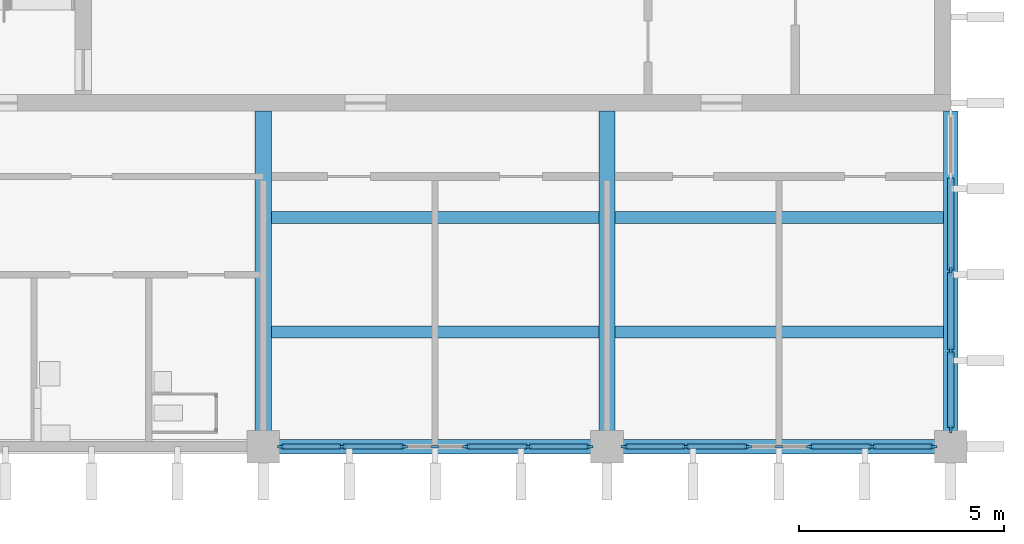
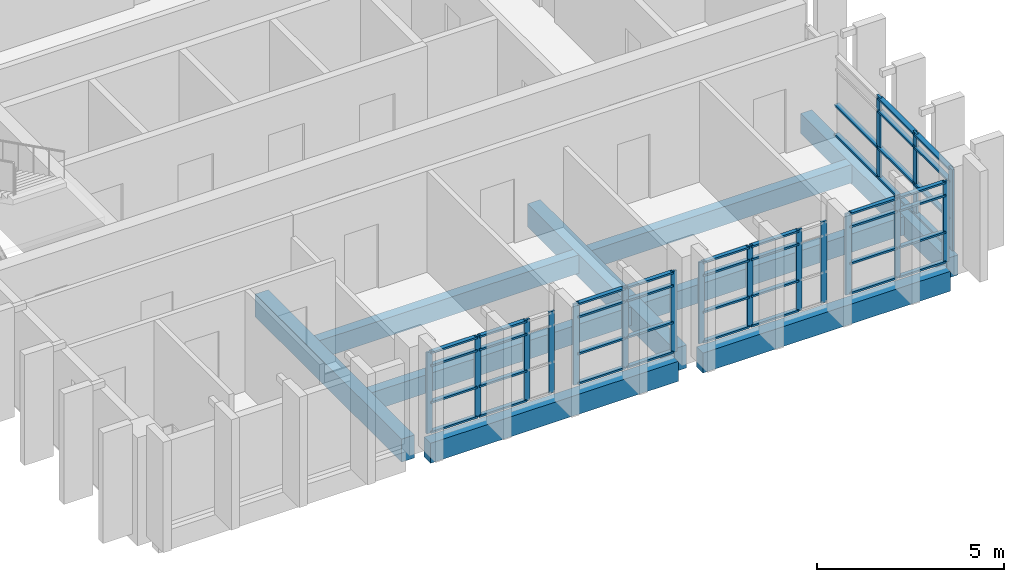
# One storey, part 2 of 11: 59 members, 9 beams, 3 elements without a shape of their own.
"""IFC4 building model written with IfcOpenShell, lengths in metres."""

from ifc_helpers import new_model, si_unit, direction, frame, origin, origin_2d, place, context, subcontext, project, spatial, rectangle, extrude, material, layer, layer_set, material_profile, profile_set, type_object, element, aggregate, save


model = new_model("IFC4")

# Units and contexts
model_context = context("Model", 3, precision=1e-05, world=origin(), true_north=direction((0.0, 1.0)))
body_context = subcontext(model_context, "Body", "Model", "MODEL_VIEW")
ifc_project = project(units=[si_unit("LENGTHUNIT", "METRE"), si_unit("AREAUNIT", "SQUARE_METRE"), si_unit("VOLUMEUNIT", "CUBIC_METRE"), si_unit("PLANEANGLEUNIT", "RADIAN"), si_unit("MASSUNIT", "GRAM", prefix="KILO")], contexts=[model_context])

# Site, building, storey
site_placement = place(None, origin())
site = spatial("IfcSite", under=ifc_project, at=site_placement, CompositionType="ELEMENT")
building_placement = place(site_placement, origin())
building = spatial("IfcBuilding", under=site, at=building_placement, Name="Rulbaag Community and Learning Centre", CompositionType="ELEMENT")
storey_placement = place(building_placement, frame((0.0, 0.0, 46.800048828125)))
storey = spatial("IfcBuildingStorey", under=building, at=storey_placement, Name="L12", CompositionType="ELEMENT", Elevation=46.800048828125)

# Beams
ifc_material_1 = material(Name="Concrete M40", Category="concrete")
ifc_material_profile_1 = material_profile(ifc_material_1, rectangle(XDim=0.35009765625, YDim=0.64990234375, at=origin_2d()), Name="RB350x650")
ifc_profile_set_1 = profile_set([ifc_material_profile_1], Name="Concrete M40")
beam_type_1 = type_object("IfcBeamType", Name="B14 Tower edge beam, upper zone 350x650 Concrete M40", PredefinedType="BEAM", material=ifc_profile_set_1)
beam_1_placement = place(storey_placement, frame((151.580078125, 84.0, -0.550048828125), z_axis=(1.0, 0.0, 0.0), x_axis=(0.0, 1.0, 0.0)))
element("IfcBeam", 1, at=beam_1_placement, inside=storey, type_object=beam_type_1, Name="BM-L12-19K-20K", PredefinedType="BEAM", context=body_context, shape_type="SweptSolid", body=[
    extrude(rectangle(XDim=0.35009765625, YDim=0.64990234375, at=origin_2d()), origin(), (0.0, 0.0, 1.0), 7.639892578125),
])
beam_2_placement = place(storey_placement, frame((159.97998046875, 84.0, -0.550048828125), z_axis=(1.0, 0.0, 0.0), x_axis=(0.0, 1.0, 0.0)))
element("IfcBeam", 2, at=beam_2_placement, inside=storey, type_object=beam_type_1, Name="BM-L12-20K-21K", PredefinedType="BEAM", context=body_context, shape_type="SweptSolid", body=[
    extrude(rectangle(XDim=0.35009765625, YDim=0.64990234375, at=origin_2d()), origin(), (0.0, 0.0, 1.0), 7.64013671875),
])
beam_3_placement = place(storey_placement, frame((168.0, 84.3798828125, -0.550048828125), z_axis=(0.0, 1.0, 0.0), x_axis=(-1.0, 0.0, 0.0)))
element("IfcBeam", 3, at=beam_3_placement, inside=storey, type_object=beam_type_1, Name="BM-L12-21K-21L", PredefinedType="BEAM", context=body_context, shape_type="SweptSolid", body=[
    extrude(rectangle(XDim=0.35009765625, YDim=0.64990234375, at=origin_2d()), origin(), (0.0, 0.0, 1.0), 7.820068359375),
])
ifc_material_profile_2 = material_profile(ifc_material_1, rectangle(XDim=0.39990234375, YDim=0.75, at=origin_2d()), Name="RB400x750")
ifc_profile_set_2 = profile_set([ifc_material_profile_2], Name="Concrete M40")
beam_type_2 = type_object("IfcBeamType", Name="B15 Tower frame beam, middle zone 400x750 Concrete M40", PredefinedType="BEAM", material=ifc_profile_set_2)
for number, where, z_axis, x_axis, name in (
    (4, (151.199951171875, 84.3798828125, -0.60009765625), (0.0, 1.0, 0.0), (-1.0, 0.0, 0.0), "BM-L12-19K-19L"),
    (5, (159.60009765625, 84.3798828125, -0.60009765625), (0.0, 1.0, 0.0), (-1.0, 0.0, 0.0), "BM-L12-20K-20L"),
):
    element("IfcBeam", number, at=place(storey_placement, frame(where, z_axis=z_axis, x_axis=x_axis)), inside=storey, type_object=beam_type_2, Name=name, PredefinedType="BEAM", context=body_context, shape_type="SweptSolid", body=[
        extrude(rectangle(XDim=0.39990234375, YDim=0.75, at=origin_2d()), origin(), (0.0, 0.0, 1.0), 7.820068359375),
    ])
ifc_material_profile_3 = material_profile(ifc_material_1, rectangle(XDim=0.300048828125, YDim=0.60009765625, at=origin_2d()), Name="RB300x600")
ifc_profile_set_3 = profile_set([ifc_material_profile_3], Name="Concrete M40")
beam_type_3 = type_object("IfcBeamType", Name="B30 Secondary joist 300x600 Concrete M40", PredefinedType="BEAM", material=ifc_profile_set_3)
for number, where, z_axis, x_axis, name in (
    (6, (151.39990234375, 86.800048828125, -0.525146484375), (1.0, 0.0, 0.0), (0.0, 1.0, 0.0), "BM-JS-L12-19K-1"),
    (7, (151.39990234375, 89.60009765625, -0.525146484375), (1.0, 0.0, 0.0), (0.0, 1.0, 0.0), "BM-JS-L12-19K-2"),
):
    element("IfcBeam", number, at=place(storey_placement, frame(where, z_axis=z_axis, x_axis=x_axis)), inside=storey, type_object=beam_type_3, Name=name, PredefinedType="BEAM", context=body_context, shape_type="SweptSolid", body=[
        extrude(rectangle(XDim=0.300048828125, YDim=0.60009765625, at=origin_2d()), origin(), (0.0, 0.0, 1.0), 8.0),
    ])
for number, where, z_axis, x_axis, name in (
    (8, (159.800048828125, 86.800048828125, -0.525146484375), (1.0, 0.0, 0.0), (0.0, 1.0, 0.0), "BM-JS-L12-20K-1"),
    (9, (159.800048828125, 89.60009765625, -0.525146484375), (1.0, 0.0, 0.0), (0.0, 1.0, 0.0), "BM-JS-L12-20K-2"),
):
    element("IfcBeam", number, at=place(storey_placement, frame(where, z_axis=z_axis, x_axis=x_axis)), inside=storey, type_object=beam_type_3, Name=name, PredefinedType="BEAM", context=body_context, shape_type="SweptSolid", body=[
        extrude(rectangle(XDim=0.300048828125, YDim=0.60009765625, at=origin_2d()), origin(), (0.0, 0.0, 1.0), 8.02490234375),
    ])

# Curtain wall, members
ifc_material_2 = material(Name="Aluminium", Category="aluminium")
ifc_layer_1 = layer(ifc_material_2, 0.14990234375)
ifc_layer_set_1 = layer_set([ifc_layer_1], Name="CW-S")
curtain_wall_type_1 = type_object("IfcCurtainWallType", Name="CW-S", PredefinedType="USERDEFINED", material=ifc_layer_set_1)
curtain_wall_1_placement = place(storey_placement, origin())
curtain_wall_1 = element("IfcCurtainWall", 10, at=curtain_wall_1_placement, inside=storey, type_object=curtain_wall_type_1, Name="GS-L12-01", ObjectType="UNITISED CURTAIN WALL", PredefinedType="USERDEFINED")
ifc_material_3 = material(Name="Aluminium mullion", Category="aluminium")
ifc_material_profile_4 = material_profile(ifc_material_3, rectangle(XDim=0.06005859375, YDim=0.175048828125, at=origin_2d()), Name="AL 60x175")
ifc_profile_set_4 = profile_set([ifc_material_profile_4], Name="Aluminium mullion")
member_type_1 = type_object("IfcMemberType", Name="CW-S-MUL", PredefinedType="MULLION", material=ifc_profile_set_4)
member_1_placement = place(storey_placement, frame((151.6298828125, 84.0, 0.0), z_axis=(0.0, 0.0, 1.0), x_axis=(0.0, 1.0, 0.0)))
member_1 = element("IfcMember", 11, at=member_1_placement, type_object=member_type_1, Name="GS mullion 1", PredefinedType="MULLION", context=body_context, shape_type="SweptSolid", body=[
    extrude(rectangle(XDim=0.06005859375, YDim=0.175048828125, at=origin_2d()), origin(), (0.0, 0.0, 1.0), 2.64990234375),
])
member_2_placement = place(storey_placement, frame((153.1201171875, 84.0, 0.0), z_axis=(0.0, 0.0, 1.0), x_axis=(0.0, 1.0, 0.0)))
member_2 = element("IfcMember", 12, at=member_2_placement, type_object=member_type_1, Name="GS mullion 2", PredefinedType="MULLION", context=body_context, shape_type="SweptSolid", body=[
    extrude(rectangle(XDim=0.06005859375, YDim=0.175048828125, at=origin_2d()), origin(), (0.0, 0.0, 1.0), 2.64990234375),
])
member_3_placement = place(storey_placement, frame((154.639892578125, 84.0, 0.0), z_axis=(0.0, 0.0, 1.0), x_axis=(0.0, 1.0, 0.0)))
member_3 = element("IfcMember", 13, at=member_3_placement, type_object=member_type_1, Name="GS mullion 3", PredefinedType="MULLION", context=body_context, shape_type="SweptSolid", body=[
    extrude(rectangle(XDim=0.06005859375, YDim=0.175048828125, at=origin_2d()), origin(), (0.0, 0.0, 1.0), 2.64990234375),
])
member_4_placement = place(storey_placement, frame((155.39990234375, 84.0, 0.0), z_axis=(0.0, 0.0, 1.0), x_axis=(0.0, 1.0, 0.0)))
member_4 = element("IfcMember", 14, at=member_4_placement, type_object=member_type_1, Name="GS mullion 4", PredefinedType="MULLION", context=body_context, shape_type="SweptSolid", body=[
    extrude(rectangle(XDim=0.06005859375, YDim=0.175048828125, at=origin_2d()), origin(), (0.0, 0.0, 1.0), 2.64990234375),
])
member_5_placement = place(storey_placement, frame((156.159912109375, 84.0, 0.0), z_axis=(0.0, 0.0, 1.0), x_axis=(0.0, 1.0, 0.0)))
member_5 = element("IfcMember", 15, at=member_5_placement, type_object=member_type_1, Name="GS mullion 5", PredefinedType="MULLION", context=body_context, shape_type="SweptSolid", body=[
    extrude(rectangle(XDim=0.06005859375, YDim=0.175048828125, at=origin_2d()), origin(), (0.0, 0.0, 1.0), 2.64990234375),
])
member_6_placement = place(storey_placement, frame((157.679931640625, 84.0, 0.0), z_axis=(0.0, 0.0, 1.0), x_axis=(0.0, 1.0, 0.0)))
member_6 = element("IfcMember", 16, at=member_6_placement, type_object=member_type_1, Name="GS mullion 6", PredefinedType="MULLION", context=body_context, shape_type="SweptSolid", body=[
    extrude(rectangle(XDim=0.06005859375, YDim=0.175048828125, at=origin_2d()), origin(), (0.0, 0.0, 1.0), 2.64990234375),
])
member_7_placement = place(storey_placement, frame((159.169921875, 84.0, 0.0), z_axis=(0.0, 0.0, 1.0), x_axis=(0.0, 1.0, 0.0)))
member_7 = element("IfcMember", 17, at=member_7_placement, type_object=member_type_1, Name="GS mullion 7", PredefinedType="MULLION", context=body_context, shape_type="SweptSolid", body=[
    extrude(rectangle(XDim=0.06005859375, YDim=0.175048828125, at=origin_2d()), origin(), (0.0, 0.0, 1.0), 2.64990234375),
])

curtain_wall_2_placement = place(storey_placement, origin())
curtain_wall_2 = element("IfcCurtainWall", 18, at=curtain_wall_2_placement, inside=storey, type_object=curtain_wall_type_1, Name="GS-L12-02", ObjectType="UNITISED CURTAIN WALL", PredefinedType="USERDEFINED")
member_8_placement = place(storey_placement, frame((160.030029296875, 84.0, 0.0), z_axis=(0.0, 0.0, 1.0), x_axis=(0.0, 1.0, 0.0)))
member_8 = element("IfcMember", 19, at=member_8_placement, type_object=member_type_1, Name="GS mullion 1", PredefinedType="MULLION", context=body_context, shape_type="SweptSolid", body=[
    extrude(rectangle(XDim=0.06005859375, YDim=0.175048828125, at=origin_2d()), origin(), (0.0, 0.0, 1.0), 2.64990234375),
])
member_9_placement = place(storey_placement, frame((161.52001953125, 84.0, 0.0), z_axis=(0.0, 0.0, 1.0), x_axis=(0.0, 1.0, 0.0)))
member_9 = element("IfcMember", 20, at=member_9_placement, type_object=member_type_1, Name="GS mullion 2", PredefinedType="MULLION", context=body_context, shape_type="SweptSolid", body=[
    extrude(rectangle(XDim=0.06005859375, YDim=0.175048828125, at=origin_2d()), origin(), (0.0, 0.0, 1.0), 2.64990234375),
])
member_10_placement = place(storey_placement, frame((163.0400390625, 84.0, 0.0), z_axis=(0.0, 0.0, 1.0), x_axis=(0.0, 1.0, 0.0)))
member_10 = element("IfcMember", 21, at=member_10_placement, type_object=member_type_1, Name="GS mullion 3", PredefinedType="MULLION", context=body_context, shape_type="SweptSolid", body=[
    extrude(rectangle(XDim=0.06005859375, YDim=0.175048828125, at=origin_2d()), origin(), (0.0, 0.0, 1.0), 2.64990234375),
])
member_11_placement = place(storey_placement, frame((163.800048828125, 84.0, 0.0), z_axis=(0.0, 0.0, 1.0), x_axis=(0.0, 1.0, 0.0)))
member_11 = element("IfcMember", 22, at=member_11_placement, type_object=member_type_1, Name="GS mullion 4", PredefinedType="MULLION", context=body_context, shape_type="SweptSolid", body=[
    extrude(rectangle(XDim=0.06005859375, YDim=0.175048828125, at=origin_2d()), origin(), (0.0, 0.0, 1.0), 2.64990234375),
])
member_12_placement = place(storey_placement, frame((164.56005859375, 84.0, 0.0), z_axis=(0.0, 0.0, 1.0), x_axis=(0.0, 1.0, 0.0)))
member_12 = element("IfcMember", 23, at=member_12_placement, type_object=member_type_1, Name="GS mullion 5", PredefinedType="MULLION", context=body_context, shape_type="SweptSolid", body=[
    extrude(rectangle(XDim=0.06005859375, YDim=0.175048828125, at=origin_2d()), origin(), (0.0, 0.0, 1.0), 2.64990234375),
])
member_13_placement = place(storey_placement, frame((166.080078125, 84.0, 0.0), z_axis=(0.0, 0.0, 1.0), x_axis=(0.0, 1.0, 0.0)))
member_13 = element("IfcMember", 24, at=member_13_placement, type_object=member_type_1, Name="GS mullion 6", PredefinedType="MULLION", context=body_context, shape_type="SweptSolid", body=[
    extrude(rectangle(XDim=0.06005859375, YDim=0.175048828125, at=origin_2d()), origin(), (0.0, 0.0, 1.0), 2.64990234375),
])
member_14_placement = place(storey_placement, frame((167.570068359375, 84.0, 0.0), z_axis=(0.0, 0.0, 1.0), x_axis=(0.0, 1.0, 0.0)))
member_14 = element("IfcMember", 25, at=member_14_placement, type_object=member_type_1, Name="GS mullion 7", PredefinedType="MULLION", context=body_context, shape_type="SweptSolid", body=[
    extrude(rectangle(XDim=0.06005859375, YDim=0.175048828125, at=origin_2d()), origin(), (0.0, 0.0, 1.0), 2.64990234375),
])

# Member
ifc_material_4 = material(Name="Aluminium transom", Category="aluminium")
ifc_material_profile_5 = material_profile(ifc_material_4, rectangle(XDim=0.125, YDim=0.06005859375, at=origin_2d()), Name="AL 60x125 T")
ifc_profile_set_5 = profile_set([ifc_material_profile_5], Name="Aluminium transom")
member_type_2 = type_object("IfcMemberType", Name="CW-S-TRN", PredefinedType="USERDEFINED", material=ifc_profile_set_5)
member_15_placement = place(storey_placement, frame((151.659912109375, 84.0, 0.030029296875), z_axis=(1.0, 0.0, 0.0), x_axis=(0.0, 1.0, 0.0)))
member_15 = element("IfcMember", 26, at=member_15_placement, type_object=member_type_2, Name="GS transom 1.1", ObjectType="TRANSOM", PredefinedType="USERDEFINED", context=body_context, shape_type="SweptSolid", body=[
    extrude(rectangle(XDim=0.125, YDim=0.06005859375, at=origin_2d()), origin(), (0.0, 0.0, 1.0), 1.43017578125),
])

member_16_placement = place(storey_placement, frame((151.659912109375, 84.0, 1.0), z_axis=(1.0, 0.0, 0.0), x_axis=(0.0, 1.0, 0.0)))
member_16 = element("IfcMember", 27, at=member_16_placement, type_object=member_type_2, Name="GS transom 1.2", ObjectType="TRANSOM", PredefinedType="USERDEFINED", context=body_context, shape_type="SweptSolid", body=[
    extrude(rectangle(XDim=0.125, YDim=0.06005859375, at=origin_2d()), origin(), (0.0, 0.0, 1.0), 1.43017578125),
])

member_17_placement = place(storey_placement, frame((151.659912109375, 84.0, 2.199951171875), z_axis=(1.0, 0.0, 0.0), x_axis=(0.0, 1.0, 0.0)))
member_17 = element("IfcMember", 28, at=member_17_placement, type_object=member_type_2, Name="GS transom 1.3", ObjectType="TRANSOM", PredefinedType="USERDEFINED", context=body_context, shape_type="SweptSolid", body=[
    extrude(rectangle(XDim=0.125, YDim=0.06005859375, at=origin_2d()), origin(), (0.0, 0.0, 1.0), 1.43017578125),
])

member_18_placement = place(storey_placement, frame((151.659912109375, 84.0, 2.619873046875), z_axis=(1.0, 0.0, 0.0), x_axis=(0.0, 1.0, 0.0)))
member_18 = element("IfcMember", 29, at=member_18_placement, type_object=member_type_2, Name="GS transom 1.4", ObjectType="TRANSOM", PredefinedType="USERDEFINED", context=body_context, shape_type="SweptSolid", body=[
    extrude(rectangle(XDim=0.125, YDim=0.06005859375, at=origin_2d()), origin(), (0.0, 0.0, 1.0), 1.43017578125),
])

member_19_placement = place(storey_placement, frame((153.14990234375, 84.0, 0.030029296875), z_axis=(1.0, 0.0, 0.0), x_axis=(0.0, 1.0, 0.0)))
member_19 = element("IfcMember", 30, at=member_19_placement, type_object=member_type_2, Name="GS transom 2.1", ObjectType="TRANSOM", PredefinedType="USERDEFINED", context=body_context, shape_type="SweptSolid", body=[
    extrude(rectangle(XDim=0.125, YDim=0.06005859375, at=origin_2d()), origin(), (0.0, 0.0, 1.0), 1.460205078125),
])

member_20_placement = place(storey_placement, frame((153.14990234375, 84.0, 1.0), z_axis=(1.0, 0.0, 0.0), x_axis=(0.0, 1.0, 0.0)))
member_20 = element("IfcMember", 31, at=member_20_placement, type_object=member_type_2, Name="GS transom 2.2", ObjectType="TRANSOM", PredefinedType="USERDEFINED", context=body_context, shape_type="SweptSolid", body=[
    extrude(rectangle(XDim=0.125, YDim=0.06005859375, at=origin_2d()), origin(), (0.0, 0.0, 1.0), 1.460205078125),
])

member_21_placement = place(storey_placement, frame((153.14990234375, 84.0, 2.199951171875), z_axis=(1.0, 0.0, 0.0), x_axis=(0.0, 1.0, 0.0)))
member_21 = element("IfcMember", 32, at=member_21_placement, type_object=member_type_2, Name="GS transom 2.3", ObjectType="TRANSOM", PredefinedType="USERDEFINED", context=body_context, shape_type="SweptSolid", body=[
    extrude(rectangle(XDim=0.125, YDim=0.06005859375, at=origin_2d()), origin(), (0.0, 0.0, 1.0), 1.460205078125),
])

member_22_placement = place(storey_placement, frame((153.14990234375, 84.0, 2.619873046875), z_axis=(1.0, 0.0, 0.0), x_axis=(0.0, 1.0, 0.0)))
member_22 = element("IfcMember", 33, at=member_22_placement, type_object=member_type_2, Name="GS transom 2.4", ObjectType="TRANSOM", PredefinedType="USERDEFINED", context=body_context, shape_type="SweptSolid", body=[
    extrude(rectangle(XDim=0.125, YDim=0.06005859375, at=origin_2d()), origin(), (0.0, 0.0, 1.0), 1.460205078125),
])

member_23_placement = place(storey_placement, frame((156.18994140625, 84.0, 0.030029296875), z_axis=(1.0, 0.0, 0.0), x_axis=(0.0, 1.0, 0.0)))
member_23 = element("IfcMember", 34, at=member_23_placement, type_object=member_type_2, Name="GS transom 5.1", ObjectType="TRANSOM", PredefinedType="USERDEFINED", context=body_context, shape_type="SweptSolid", body=[
    extrude(rectangle(XDim=0.125, YDim=0.06005859375, at=origin_2d()), origin(), (0.0, 0.0, 1.0), 1.4599609375),
])

member_24_placement = place(storey_placement, frame((156.18994140625, 84.0, 1.0), z_axis=(1.0, 0.0, 0.0), x_axis=(0.0, 1.0, 0.0)))
member_24 = element("IfcMember", 35, at=member_24_placement, type_object=member_type_2, Name="GS transom 5.2", ObjectType="TRANSOM", PredefinedType="USERDEFINED", context=body_context, shape_type="SweptSolid", body=[
    extrude(rectangle(XDim=0.125, YDim=0.06005859375, at=origin_2d()), origin(), (0.0, 0.0, 1.0), 1.4599609375),
])

member_25_placement = place(storey_placement, frame((156.18994140625, 84.0, 2.199951171875), z_axis=(1.0, 0.0, 0.0), x_axis=(0.0, 1.0, 0.0)))
member_25 = element("IfcMember", 36, at=member_25_placement, type_object=member_type_2, Name="GS transom 5.3", ObjectType="TRANSOM", PredefinedType="USERDEFINED", context=body_context, shape_type="SweptSolid", body=[
    extrude(rectangle(XDim=0.125, YDim=0.06005859375, at=origin_2d()), origin(), (0.0, 0.0, 1.0), 1.4599609375),
])

member_26_placement = place(storey_placement, frame((156.18994140625, 84.0, 2.619873046875), z_axis=(1.0, 0.0, 0.0), x_axis=(0.0, 1.0, 0.0)))
member_26 = element("IfcMember", 37, at=member_26_placement, type_object=member_type_2, Name="GS transom 5.4", ObjectType="TRANSOM", PredefinedType="USERDEFINED", context=body_context, shape_type="SweptSolid", body=[
    extrude(rectangle(XDim=0.125, YDim=0.06005859375, at=origin_2d()), origin(), (0.0, 0.0, 1.0), 1.4599609375),
])

member_27_placement = place(storey_placement, frame((157.7099609375, 84.0, 0.030029296875), z_axis=(1.0, 0.0, 0.0), x_axis=(0.0, 1.0, 0.0)))
member_27 = element("IfcMember", 38, at=member_27_placement, type_object=member_type_2, Name="GS transom 6.1", ObjectType="TRANSOM", PredefinedType="USERDEFINED", context=body_context, shape_type="SweptSolid", body=[
    extrude(rectangle(XDim=0.125, YDim=0.06005859375, at=origin_2d()), origin(), (0.0, 0.0, 1.0), 1.429931640625),
])

member_28_placement = place(storey_placement, frame((157.7099609375, 84.0, 1.0), z_axis=(1.0, 0.0, 0.0), x_axis=(0.0, 1.0, 0.0)))
member_28 = element("IfcMember", 39, at=member_28_placement, type_object=member_type_2, Name="GS transom 6.2", ObjectType="TRANSOM", PredefinedType="USERDEFINED", context=body_context, shape_type="SweptSolid", body=[
    extrude(rectangle(XDim=0.125, YDim=0.06005859375, at=origin_2d()), origin(), (0.0, 0.0, 1.0), 1.429931640625),
])

member_29_placement = place(storey_placement, frame((157.7099609375, 84.0, 2.199951171875), z_axis=(1.0, 0.0, 0.0), x_axis=(0.0, 1.0, 0.0)))
member_29 = element("IfcMember", 40, at=member_29_placement, type_object=member_type_2, Name="GS transom 6.3", ObjectType="TRANSOM", PredefinedType="USERDEFINED", context=body_context, shape_type="SweptSolid", body=[
    extrude(rectangle(XDim=0.125, YDim=0.06005859375, at=origin_2d()), origin(), (0.0, 0.0, 1.0), 1.429931640625),
])

member_30_placement = place(storey_placement, frame((157.7099609375, 84.0, 2.619873046875), z_axis=(1.0, 0.0, 0.0), x_axis=(0.0, 1.0, 0.0)))
member_30 = element("IfcMember", 41, at=member_30_placement, type_object=member_type_2, Name="GS transom 6.4", ObjectType="TRANSOM", PredefinedType="USERDEFINED", context=body_context, shape_type="SweptSolid", body=[
    extrude(rectangle(XDim=0.125, YDim=0.06005859375, at=origin_2d()), origin(), (0.0, 0.0, 1.0), 1.429931640625),
])

aggregate(curtain_wall_1, [member_1, member_2, member_3, member_4, member_5, member_6, member_7, member_15, member_16, member_17, member_18, member_19, member_20, member_21, member_22, member_23, member_24, member_25, member_26, member_27, member_28, member_29, member_30])

member_31_placement = place(storey_placement, frame((160.06005859375, 84.0, 0.030029296875), z_axis=(1.0, 0.0, 0.0), x_axis=(0.0, 1.0, 0.0)))
member_31 = element("IfcMember", 42, at=member_31_placement, type_object=member_type_2, Name="GS transom 1.1", ObjectType="TRANSOM", PredefinedType="USERDEFINED", context=body_context, shape_type="SweptSolid", body=[
    extrude(rectangle(XDim=0.125, YDim=0.06005859375, at=origin_2d()), origin(), (0.0, 0.0, 1.0), 1.429931640625),
])

member_32_placement = place(storey_placement, frame((160.06005859375, 84.0, 1.0), z_axis=(1.0, 0.0, 0.0), x_axis=(0.0, 1.0, 0.0)))
member_32 = element("IfcMember", 43, at=member_32_placement, type_object=member_type_2, Name="GS transom 1.2", ObjectType="TRANSOM", PredefinedType="USERDEFINED", context=body_context, shape_type="SweptSolid", body=[
    extrude(rectangle(XDim=0.125, YDim=0.06005859375, at=origin_2d()), origin(), (0.0, 0.0, 1.0), 1.429931640625),
])

member_33_placement = place(storey_placement, frame((160.06005859375, 84.0, 2.199951171875), z_axis=(1.0, 0.0, 0.0), x_axis=(0.0, 1.0, 0.0)))
member_33 = element("IfcMember", 44, at=member_33_placement, type_object=member_type_2, Name="GS transom 1.3", ObjectType="TRANSOM", PredefinedType="USERDEFINED", context=body_context, shape_type="SweptSolid", body=[
    extrude(rectangle(XDim=0.125, YDim=0.06005859375, at=origin_2d()), origin(), (0.0, 0.0, 1.0), 1.429931640625),
])

member_34_placement = place(storey_placement, frame((160.06005859375, 84.0, 2.619873046875), z_axis=(1.0, 0.0, 0.0), x_axis=(0.0, 1.0, 0.0)))
member_34 = element("IfcMember", 45, at=member_34_placement, type_object=member_type_2, Name="GS transom 1.4", ObjectType="TRANSOM", PredefinedType="USERDEFINED", context=body_context, shape_type="SweptSolid", body=[
    extrude(rectangle(XDim=0.125, YDim=0.06005859375, at=origin_2d()), origin(), (0.0, 0.0, 1.0), 1.429931640625),
])

member_35_placement = place(storey_placement, frame((161.550048828125, 84.0, 0.030029296875), z_axis=(1.0, 0.0, 0.0), x_axis=(0.0, 1.0, 0.0)))
member_35 = element("IfcMember", 46, at=member_35_placement, type_object=member_type_2, Name="GS transom 2.1", ObjectType="TRANSOM", PredefinedType="USERDEFINED", context=body_context, shape_type="SweptSolid", body=[
    extrude(rectangle(XDim=0.125, YDim=0.06005859375, at=origin_2d()), origin(), (0.0, 0.0, 1.0), 1.4599609375),
])

member_36_placement = place(storey_placement, frame((161.550048828125, 84.0, 1.0), z_axis=(1.0, 0.0, 0.0), x_axis=(0.0, 1.0, 0.0)))
member_36 = element("IfcMember", 47, at=member_36_placement, type_object=member_type_2, Name="GS transom 2.2", ObjectType="TRANSOM", PredefinedType="USERDEFINED", context=body_context, shape_type="SweptSolid", body=[
    extrude(rectangle(XDim=0.125, YDim=0.06005859375, at=origin_2d()), origin(), (0.0, 0.0, 1.0), 1.4599609375),
])

member_37_placement = place(storey_placement, frame((161.550048828125, 84.0, 2.199951171875), z_axis=(1.0, 0.0, 0.0), x_axis=(0.0, 1.0, 0.0)))
member_37 = element("IfcMember", 48, at=member_37_placement, type_object=member_type_2, Name="GS transom 2.3", ObjectType="TRANSOM", PredefinedType="USERDEFINED", context=body_context, shape_type="SweptSolid", body=[
    extrude(rectangle(XDim=0.125, YDim=0.06005859375, at=origin_2d()), origin(), (0.0, 0.0, 1.0), 1.4599609375),
])

member_38_placement = place(storey_placement, frame((161.550048828125, 84.0, 2.619873046875), z_axis=(1.0, 0.0, 0.0), x_axis=(0.0, 1.0, 0.0)))
member_38 = element("IfcMember", 49, at=member_38_placement, type_object=member_type_2, Name="GS transom 2.4", ObjectType="TRANSOM", PredefinedType="USERDEFINED", context=body_context, shape_type="SweptSolid", body=[
    extrude(rectangle(XDim=0.125, YDim=0.06005859375, at=origin_2d()), origin(), (0.0, 0.0, 1.0), 1.4599609375),
])

member_39_placement = place(storey_placement, frame((164.590087890625, 84.0, 0.030029296875), z_axis=(1.0, 0.0, 0.0), x_axis=(0.0, 1.0, 0.0)))
member_39 = element("IfcMember", 50, at=member_39_placement, type_object=member_type_2, Name="GS transom 5.1", ObjectType="TRANSOM", PredefinedType="USERDEFINED", context=body_context, shape_type="SweptSolid", body=[
    extrude(rectangle(XDim=0.125, YDim=0.06005859375, at=origin_2d()), origin(), (0.0, 0.0, 1.0), 1.4599609375),
])

member_40_placement = place(storey_placement, frame((164.590087890625, 84.0, 1.0), z_axis=(1.0, 0.0, 0.0), x_axis=(0.0, 1.0, 0.0)))
member_40 = element("IfcMember", 51, at=member_40_placement, type_object=member_type_2, Name="GS transom 5.2", ObjectType="TRANSOM", PredefinedType="USERDEFINED", context=body_context, shape_type="SweptSolid", body=[
    extrude(rectangle(XDim=0.125, YDim=0.06005859375, at=origin_2d()), origin(), (0.0, 0.0, 1.0), 1.4599609375),
])

member_41_placement = place(storey_placement, frame((164.590087890625, 84.0, 2.199951171875), z_axis=(1.0, 0.0, 0.0), x_axis=(0.0, 1.0, 0.0)))
member_41 = element("IfcMember", 52, at=member_41_placement, type_object=member_type_2, Name="GS transom 5.3", ObjectType="TRANSOM", PredefinedType="USERDEFINED", context=body_context, shape_type="SweptSolid", body=[
    extrude(rectangle(XDim=0.125, YDim=0.06005859375, at=origin_2d()), origin(), (0.0, 0.0, 1.0), 1.4599609375),
])

member_42_placement = place(storey_placement, frame((164.590087890625, 84.0, 2.619873046875), z_axis=(1.0, 0.0, 0.0), x_axis=(0.0, 1.0, 0.0)))
member_42 = element("IfcMember", 53, at=member_42_placement, type_object=member_type_2, Name="GS transom 5.4", ObjectType="TRANSOM", PredefinedType="USERDEFINED", context=body_context, shape_type="SweptSolid", body=[
    extrude(rectangle(XDim=0.125, YDim=0.06005859375, at=origin_2d()), origin(), (0.0, 0.0, 1.0), 1.4599609375),
])

member_43_placement = place(storey_placement, frame((166.110107421875, 84.0, 0.030029296875), z_axis=(1.0, 0.0, 0.0), x_axis=(0.0, 1.0, 0.0)))
member_43 = element("IfcMember", 54, at=member_43_placement, type_object=member_type_2, Name="GS transom 6.1", ObjectType="TRANSOM", PredefinedType="USERDEFINED", context=body_context, shape_type="SweptSolid", body=[
    extrude(rectangle(XDim=0.125, YDim=0.06005859375, at=origin_2d()), origin(), (0.0, 0.0, 1.0), 1.429931640625),
])

member_44_placement = place(storey_placement, frame((166.110107421875, 84.0, 1.0), z_axis=(1.0, 0.0, 0.0), x_axis=(0.0, 1.0, 0.0)))
member_44 = element("IfcMember", 55, at=member_44_placement, type_object=member_type_2, Name="GS transom 6.2", ObjectType="TRANSOM", PredefinedType="USERDEFINED", context=body_context, shape_type="SweptSolid", body=[
    extrude(rectangle(XDim=0.125, YDim=0.06005859375, at=origin_2d()), origin(), (0.0, 0.0, 1.0), 1.429931640625),
])

member_45_placement = place(storey_placement, frame((166.110107421875, 84.0, 2.199951171875), z_axis=(1.0, 0.0, 0.0), x_axis=(0.0, 1.0, 0.0)))
member_45 = element("IfcMember", 56, at=member_45_placement, type_object=member_type_2, Name="GS transom 6.3", ObjectType="TRANSOM", PredefinedType="USERDEFINED", context=body_context, shape_type="SweptSolid", body=[
    extrude(rectangle(XDim=0.125, YDim=0.06005859375, at=origin_2d()), origin(), (0.0, 0.0, 1.0), 1.429931640625),
])

member_46_placement = place(storey_placement, frame((166.110107421875, 84.0, 2.619873046875), z_axis=(1.0, 0.0, 0.0), x_axis=(0.0, 1.0, 0.0)))
member_46 = element("IfcMember", 57, at=member_46_placement, type_object=member_type_2, Name="GS transom 6.4", ObjectType="TRANSOM", PredefinedType="USERDEFINED", context=body_context, shape_type="SweptSolid", body=[
    extrude(rectangle(XDim=0.125, YDim=0.06005859375, at=origin_2d()), origin(), (0.0, 0.0, 1.0), 1.429931640625),
])

aggregate(curtain_wall_2, [member_8, member_9, member_10, member_11, member_12, member_13, member_14, member_31, member_32, member_33, member_34, member_35, member_36, member_37, member_38, member_39, member_40, member_41, member_42, member_43, member_44, member_45, member_46])

# Curtain wall, members
ifc_layer_2 = layer(ifc_material_2, 0.14990234375)
ifc_layer_set_2 = layer_set([ifc_layer_2], Name="CW-T")
curtain_wall_type_2 = type_object("IfcCurtainWallType", Name="CW-T", PredefinedType="USERDEFINED", material=ifc_layer_set_2)
curtain_wall_3_placement = place(storey_placement, origin())
curtain_wall_3 = element("IfcCurtainWall", 58, at=curtain_wall_3_placement, inside=storey, type_object=curtain_wall_type_2, Name="GT-L12-05", ObjectType="UNITISED CURTAIN WALL", PredefinedType="USERDEFINED")
ifc_material_profile_6 = material_profile(ifc_material_3, rectangle(XDim=0.06494140625, YDim=0.199951171875, at=origin_2d()), Name="AL 65x200")
ifc_profile_set_6 = profile_set([ifc_material_profile_6], Name="Aluminium mullion")
member_type_3 = type_object("IfcMemberType", Name="CW-T-MUL", PredefinedType="MULLION", material=ifc_profile_set_6)
member_47_placement = place(storey_placement, frame((168.0, 84.4326171875, 0.0), z_axis=(0.0, 0.0, 1.0), x_axis=(-1.0, 0.0, 0.0)))
member_47 = element("IfcMember", 59, at=member_47_placement, type_object=member_type_3, Name="GT mullion 1", PredefinedType="MULLION", context=body_context, shape_type="SweptSolid", body=[
    extrude(rectangle(XDim=0.06494140625, YDim=0.199951171875, at=origin_2d()), origin(), (0.0, 0.0, 1.0), 2.64990234375),
])
member_48_placement = place(storey_placement, frame((168.0, 86.34375, 0.0), z_axis=(0.0, 0.0, 1.0), x_axis=(-1.0, 0.0, 0.0)))
member_48 = element("IfcMember", 60, at=member_48_placement, type_object=member_type_3, Name="GT mullion 2", PredefinedType="MULLION", context=body_context, shape_type="SweptSolid", body=[
    extrude(rectangle(XDim=0.06494140625, YDim=0.199951171875, at=origin_2d()), origin(), (0.0, 0.0, 1.0), 2.64990234375),
])
member_49_placement = place(storey_placement, frame((168.0, 88.28759765625, 0.0), z_axis=(0.0, 0.0, 1.0), x_axis=(-1.0, 0.0, 0.0)))
member_49 = element("IfcMember", 61, at=member_49_placement, type_object=member_type_3, Name="GT mullion 3", PredefinedType="MULLION", context=body_context, shape_type="SweptSolid", body=[
    extrude(rectangle(XDim=0.06494140625, YDim=0.199951171875, at=origin_2d()), origin(), (0.0, 0.0, 1.0), 2.64990234375),
])
ifc_material_profile_7 = material_profile(ifc_material_4, rectangle(XDim=0.14990234375, YDim=0.06494140625, at=origin_2d()), Name="AL 65x150 T")
ifc_profile_set_7 = profile_set([ifc_material_profile_7], Name="Aluminium transom")
member_type_4 = type_object("IfcMemberType", Name="CW-T-TRN", PredefinedType="USERDEFINED", material=ifc_profile_set_7)
member_50_placement = place(storey_placement, frame((168.0, 84.465087890625, 0.032470703125), z_axis=(0.0, 1.0, 0.0), x_axis=(-1.0, 0.0, 0.0)))
member_50 = element("IfcMember", 62, at=member_50_placement, type_object=member_type_4, Name="GT transom 1.1", ObjectType="TRANSOM", PredefinedType="USERDEFINED", context=body_context, shape_type="SweptSolid", body=[
    extrude(rectangle(XDim=0.14990234375, YDim=0.06494140625, at=origin_2d()), origin(), (0.0, 0.0, 1.0), 1.84619140625),
])
member_51_placement = place(storey_placement, frame((168.0, 84.465087890625, 1.0), z_axis=(0.0, 1.0, 0.0), x_axis=(-1.0, 0.0, 0.0)))
member_51 = element("IfcMember", 63, at=member_51_placement, type_object=member_type_4, Name="GT transom 1.2", ObjectType="TRANSOM", PredefinedType="USERDEFINED", context=body_context, shape_type="SweptSolid", body=[
    extrude(rectangle(XDim=0.14990234375, YDim=0.06494140625, at=origin_2d()), origin(), (0.0, 0.0, 1.0), 1.84619140625),
])
member_52_placement = place(storey_placement, frame((168.0, 84.465087890625, 2.199951171875), z_axis=(0.0, 1.0, 0.0), x_axis=(-1.0, 0.0, 0.0)))
member_52 = element("IfcMember", 64, at=member_52_placement, type_object=member_type_4, Name="GT transom 1.3", ObjectType="TRANSOM", PredefinedType="USERDEFINED", context=body_context, shape_type="SweptSolid", body=[
    extrude(rectangle(XDim=0.14990234375, YDim=0.06494140625, at=origin_2d()), origin(), (0.0, 0.0, 1.0), 1.84619140625),
])
member_53_placement = place(storey_placement, frame((168.0, 84.465087890625, 2.617431640625), z_axis=(0.0, 1.0, 0.0), x_axis=(-1.0, 0.0, 0.0)))
member_53 = element("IfcMember", 65, at=member_53_placement, type_object=member_type_4, Name="GT transom 1.4", ObjectType="TRANSOM", PredefinedType="USERDEFINED", context=body_context, shape_type="SweptSolid", body=[
    extrude(rectangle(XDim=0.14990234375, YDim=0.06494140625, at=origin_2d()), origin(), (0.0, 0.0, 1.0), 1.84619140625),
])
member_54_placement = place(storey_placement, frame((168.0, 86.376220703125, 0.032470703125), z_axis=(0.0, 1.0, 0.0), x_axis=(-1.0, 0.0, 0.0)))
member_54 = element("IfcMember", 66, at=member_54_placement, type_object=member_type_4, Name="GT transom 2.1", ObjectType="TRANSOM", PredefinedType="USERDEFINED", context=body_context, shape_type="SweptSolid", body=[
    extrude(rectangle(XDim=0.14990234375, YDim=0.06494140625, at=origin_2d()), origin(), (0.0, 0.0, 1.0), 1.878662109375),
])
member_55_placement = place(storey_placement, frame((168.0, 86.376220703125, 1.0), z_axis=(0.0, 1.0, 0.0), x_axis=(-1.0, 0.0, 0.0)))
member_55 = element("IfcMember", 67, at=member_55_placement, type_object=member_type_4, Name="GT transom 2.2", ObjectType="TRANSOM", PredefinedType="USERDEFINED", context=body_context, shape_type="SweptSolid", body=[
    extrude(rectangle(XDim=0.14990234375, YDim=0.06494140625, at=origin_2d()), origin(), (0.0, 0.0, 1.0), 1.878662109375),
])
member_56_placement = place(storey_placement, frame((168.0, 86.376220703125, 2.199951171875), z_axis=(0.0, 1.0, 0.0), x_axis=(-1.0, 0.0, 0.0)))
member_56 = element("IfcMember", 68, at=member_56_placement, type_object=member_type_4, Name="GT transom 2.3", ObjectType="TRANSOM", PredefinedType="USERDEFINED", context=body_context, shape_type="SweptSolid", body=[
    extrude(rectangle(XDim=0.14990234375, YDim=0.06494140625, at=origin_2d()), origin(), (0.0, 0.0, 1.0), 1.878662109375),
])
member_57_placement = place(storey_placement, frame((168.0, 86.376220703125, 2.617431640625), z_axis=(0.0, 1.0, 0.0), x_axis=(-1.0, 0.0, 0.0)))
member_57 = element("IfcMember", 69, at=member_57_placement, type_object=member_type_4, Name="GT transom 2.4", ObjectType="TRANSOM", PredefinedType="USERDEFINED", context=body_context, shape_type="SweptSolid", body=[
    extrude(rectangle(XDim=0.14990234375, YDim=0.06494140625, at=origin_2d()), origin(), (0.0, 0.0, 1.0), 1.878662109375),
])
member_58_placement = place(storey_placement, frame((168.0, 88.320068359375, 0.032470703125), z_axis=(0.0, 1.0, 0.0), x_axis=(-1.0, 0.0, 0.0)))
member_58 = element("IfcMember", 70, at=member_58_placement, type_object=member_type_4, Name="GT transom 3.1", ObjectType="TRANSOM", PredefinedType="USERDEFINED", context=body_context, shape_type="SweptSolid", body=[
    extrude(rectangle(XDim=0.14990234375, YDim=0.06494140625, at=origin_2d()), origin(), (0.0, 0.0, 1.0), 2.247314453125),
])
member_59_placement = place(storey_placement, frame((168.0, 88.320068359375, 1.0), z_axis=(0.0, 1.0, 0.0), x_axis=(-1.0, 0.0, 0.0)))
member_59 = element("IfcMember", 71, at=member_59_placement, type_object=member_type_4, Name="GT transom 3.2", ObjectType="TRANSOM", PredefinedType="USERDEFINED", context=body_context, shape_type="SweptSolid", body=[
    extrude(rectangle(XDim=0.14990234375, YDim=0.06494140625, at=origin_2d()), origin(), (0.0, 0.0, 1.0), 2.247314453125),
])
aggregate(curtain_wall_3, [member_47, member_48, member_49, member_50, member_51, member_52, member_53, member_54, member_55, member_56, member_57, member_58, member_59])

save(model, "model.ifc")
